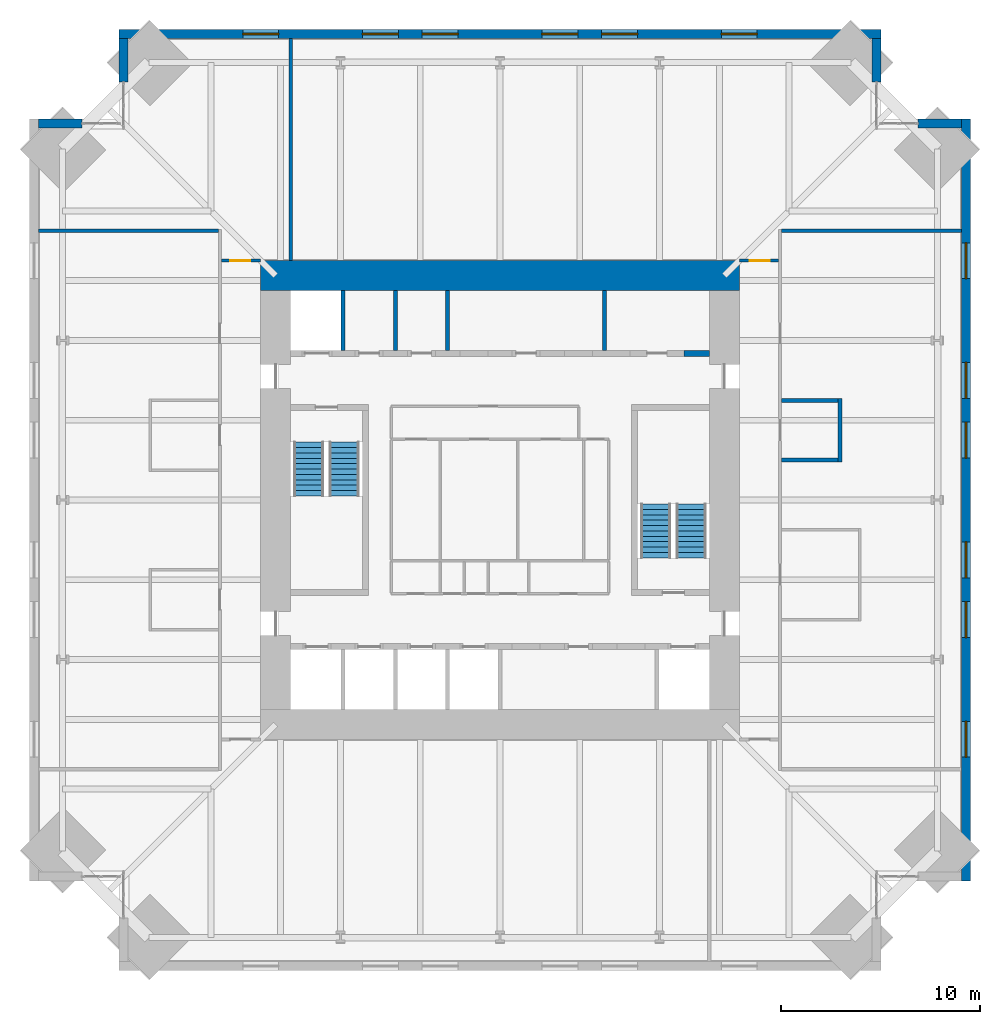
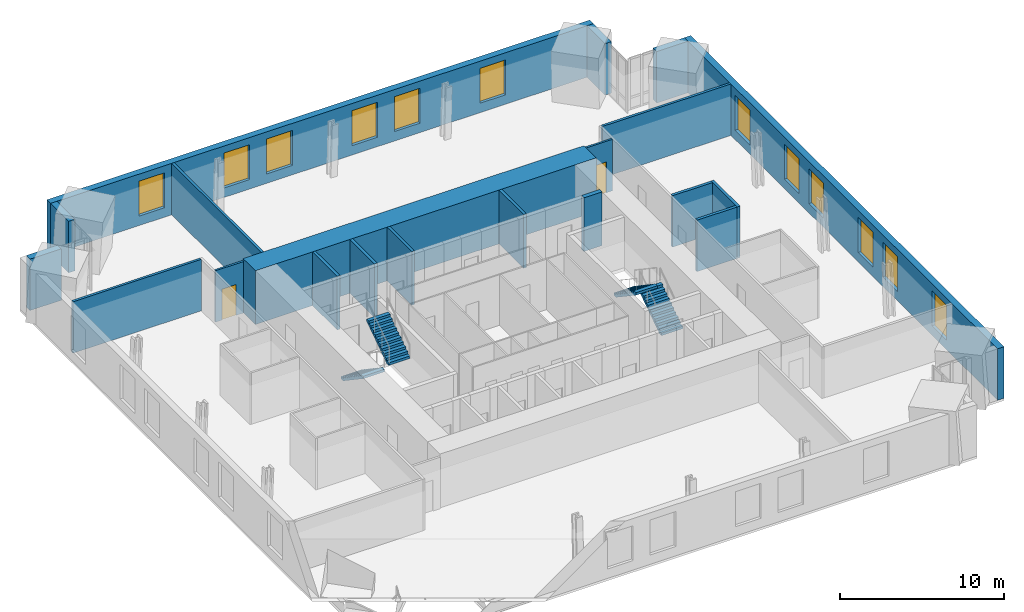
# One storey, part 13 of 14: 20 walls, 12 windows, 4 stair flights, 2 doors, 14 openings, 2 elements without a shape of their own.
"""IFC4 building model written with IfcOpenShell, lengths in metres."""

from ifc_helpers import new_model, si_unit, direction, frame, frame_2d, origin, place, context, subcontext, project, spatial, polyline, rectangle, outline, extrude, material, layer, layer_set, type_object, element, fill, aggregate, save


model = new_model("IFC4")

# Units and contexts
model_context = context("Model", 3, precision=1e-05, world=origin(), true_north=direction((0.0, 1.0)))
body_context = subcontext(model_context, "Body", "Model", "MODEL_VIEW")
ifc_project = project(units=[si_unit("LENGTHUNIT", "METRE"), si_unit("AREAUNIT", "SQUARE_METRE"), si_unit("VOLUMEUNIT", "CUBIC_METRE"), si_unit("PLANEANGLEUNIT", "RADIAN"), si_unit("MASSUNIT", "GRAM", prefix="KILO")], contexts=[model_context])

# Site, building, storey
site_placement = place(None, origin())
site = spatial("IfcSite", under=ifc_project, at=site_placement, CompositionType="ELEMENT")
building_placement = place(site_placement, origin())
building = spatial("IfcBuilding", under=site, at=building_placement, Name="Peilmerk Tower", CompositionType="ELEMENT")
storey_placement = place(building_placement, frame((0.0, 0.0, 221.800048828125)))
storey = spatial("IfcBuildingStorey", under=building, at=storey_placement, Name="L48", CompositionType="ELEMENT", Elevation=221.800048828125)

# Wall, openings, windows
ifc_material_1 = material(Name="Precast concrete C45/55, board-marked finish", Category="concrete")
ifc_layer_1 = layer(ifc_material_1, 0.449951171875)
ifc_layer_set_1 = layer_set([ifc_layer_1], Name="Precast concrete C45/55, board-marked finish")
wall_type_1 = type_object("IfcWallType", Name="EW1 450 precast concrete facade wall, board-marked", PredefinedType="SOLIDWALL", material=ifc_layer_set_1)
wall_1_placement = place(storey_placement, frame((19.10009765625, 23.375, 0.0), z_axis=(0.0, 0.0, 1.0), x_axis=(-1.0, 0.0, 0.0)))
wall_1 = element("IfcWall", 1, at=wall_1_placement, inside=storey, type_object=wall_type_1, Name="Facade wall N L48", PredefinedType="SOLIDWALL", context=body_context, shape_type="SweptSolid", body=[
    extrude(rectangle(XDim=38.2001953125, YDim=0.449951171875, at=frame_2d((19.10009765625, 0.0))), origin(), (0.0, 0.0, 1.0), 3.829833984375),
])
opening_1_placement = place(wall_1_placement, frame((6.199951171875, 0.0, 0.699951171875)))
opening_1 = element("IfcOpeningElement", 2, at=opening_1_placement, cuts=wall_1, Name="Opening W1", PredefinedType="OPENING", context=body_context, shape_type="SweptSolid", body=[
    extrude(rectangle(XDim=1.800048828125, YDim=2.60009765625, at=frame_2d((0.89990234375, 1.300048828125))), frame((0.0, 0.23486328125, 0.0), z_axis=(0.0, -1.0, 0.0), x_axis=(1.0, 0.0, 0.0)), (0.0, 0.0, 1.0), 0.469970703125),
])
opening_2_placement = place(wall_1_placement, frame((12.199951171875, 0.0, 0.699951171875)))
opening_2 = element("IfcOpeningElement", 3, at=opening_2_placement, cuts=wall_1, Name="Opening W1", PredefinedType="OPENING", context=body_context, shape_type="SweptSolid", body=[
    extrude(rectangle(XDim=1.800048828125, YDim=2.60009765625, at=frame_2d((0.89990234375, 1.300048828125))), frame((0.0, 0.23486328125, 0.0), z_axis=(0.0, -1.0, 0.0), x_axis=(1.0, 0.0, 0.0)), (0.0, 0.0, 1.0), 0.469970703125),
])
opening_3_placement = place(wall_1_placement, frame((15.199951171875, 0.0, 0.699951171875)))
opening_3 = element("IfcOpeningElement", 4, at=opening_3_placement, cuts=wall_1, Name="Opening W1", PredefinedType="OPENING", context=body_context, shape_type="SweptSolid", body=[
    extrude(rectangle(XDim=1.800048828125, YDim=2.60009765625, at=frame_2d((0.89990234375, 1.300048828125))), frame((0.0, 0.23486328125, 0.0), z_axis=(0.0, -1.0, 0.0), x_axis=(1.0, 0.0, 0.0)), (0.0, 0.0, 1.0), 0.469970703125),
])
opening_4_placement = place(wall_1_placement, frame((21.199951171875, 0.0, 0.699951171875)))
opening_4 = element("IfcOpeningElement", 5, at=opening_4_placement, cuts=wall_1, Name="Opening W1", PredefinedType="OPENING", context=body_context, shape_type="SweptSolid", body=[
    extrude(rectangle(XDim=1.800048828125, YDim=2.60009765625, at=frame_2d((0.89990234375, 1.300048828125))), frame((0.0, 0.23486328125, 0.0), z_axis=(0.0, -1.0, 0.0), x_axis=(1.0, 0.0, 0.0)), (0.0, 0.0, 1.0), 0.469970703125),
])
opening_5_placement = place(wall_1_placement, frame((24.199951171875, 0.0, 0.699951171875)))
opening_5 = element("IfcOpeningElement", 6, at=opening_5_placement, cuts=wall_1, Name="Opening W1", PredefinedType="OPENING", context=body_context, shape_type="SweptSolid", body=[
    extrude(rectangle(XDim=1.800048828125, YDim=2.60009765625, at=frame_2d((0.89990234375, 1.300048828125))), frame((0.0, 0.23486328125, 0.0), z_axis=(0.0, -1.0, 0.0), x_axis=(1.0, 0.0, 0.0)), (0.0, 0.0, 1.0), 0.469970703125),
])
opening_6_placement = place(wall_1_placement, frame((30.199951171875, 0.0, 0.699951171875)))
opening_6 = element("IfcOpeningElement", 7, at=opening_6_placement, cuts=wall_1, Name="Opening W1", PredefinedType="OPENING", context=body_context, shape_type="SweptSolid", body=[
    extrude(rectangle(XDim=1.800048828125, YDim=2.60009765625, at=frame_2d((0.89990234375, 1.300048828125))), frame((0.0, 0.23486328125, 0.0), z_axis=(0.0, -1.0, 0.0), x_axis=(1.0, 0.0, 0.0)), (0.0, 0.0, 1.0), 0.469970703125),
])
ifc_material_2 = material(Name="Aluminium frame, clear double glazing", Category="aluminium")
window_type = type_object("IfcWindowType", Name="W1 1800x2600 office window", PartitioningType="SINGLE_PANEL", PredefinedType="WINDOW", material=ifc_material_2)
window_1_placement = place(opening_1_placement, origin())
window_1 = element("IfcWindow", 8, at=window_1_placement, inside=storey, type_object=window_type, Name="Window W1 L48", OverallHeight=2.60009765625, OverallWidth=1.800048828125, PartitioningType="SINGLE_PANEL", PredefinedType="WINDOW", context=body_context, shape_type="SweptSolid", body=[
    extrude(rectangle(XDim=1.800048828125, YDim=2.60009765625, at=frame_2d((0.89990234375, 1.300048828125))), frame((0.0, 0.030029296875, 0.0), z_axis=(0.0, -1.0, 0.0), x_axis=(1.0, 0.0, 0.0)), (0.0, 0.0, 1.0), 0.06005859375),
])
fill(opening_1, window_1)
window_2_placement = place(opening_2_placement, origin())
window_2 = element("IfcWindow", 9, at=window_2_placement, inside=storey, type_object=window_type, Name="Window W1 L48", OverallHeight=2.60009765625, OverallWidth=1.800048828125, PartitioningType="SINGLE_PANEL", PredefinedType="WINDOW", context=body_context, shape_type="SweptSolid", body=[
    extrude(rectangle(XDim=1.800048828125, YDim=2.60009765625, at=frame_2d((0.89990234375, 1.300048828125))), frame((0.0, 0.030029296875, 0.0), z_axis=(0.0, -1.0, 0.0), x_axis=(1.0, 0.0, 0.0)), (0.0, 0.0, 1.0), 0.06005859375),
])
fill(opening_2, window_2)
window_3_placement = place(opening_3_placement, origin())
window_3 = element("IfcWindow", 10, at=window_3_placement, inside=storey, type_object=window_type, Name="Window W1 L48", OverallHeight=2.60009765625, OverallWidth=1.800048828125, PartitioningType="SINGLE_PANEL", PredefinedType="WINDOW", context=body_context, shape_type="SweptSolid", body=[
    extrude(rectangle(XDim=1.800048828125, YDim=2.60009765625, at=frame_2d((0.89990234375, 1.300048828125))), frame((0.0, 0.030029296875, 0.0), z_axis=(0.0, -1.0, 0.0), x_axis=(1.0, 0.0, 0.0)), (0.0, 0.0, 1.0), 0.06005859375),
])
fill(opening_3, window_3)
window_4_placement = place(opening_4_placement, origin())
window_4 = element("IfcWindow", 11, at=window_4_placement, inside=storey, type_object=window_type, Name="Window W1 L48", OverallHeight=2.60009765625, OverallWidth=1.800048828125, PartitioningType="SINGLE_PANEL", PredefinedType="WINDOW", context=body_context, shape_type="SweptSolid", body=[
    extrude(rectangle(XDim=1.800048828125, YDim=2.60009765625, at=frame_2d((0.89990234375, 1.300048828125))), frame((0.0, 0.030029296875, 0.0), z_axis=(0.0, -1.0, 0.0), x_axis=(1.0, 0.0, 0.0)), (0.0, 0.0, 1.0), 0.06005859375),
])
fill(opening_4, window_4)
window_5_placement = place(opening_5_placement, origin())
window_5 = element("IfcWindow", 12, at=window_5_placement, inside=storey, type_object=window_type, Name="Window W1 L48", OverallHeight=2.60009765625, OverallWidth=1.800048828125, PartitioningType="SINGLE_PANEL", PredefinedType="WINDOW", context=body_context, shape_type="SweptSolid", body=[
    extrude(rectangle(XDim=1.800048828125, YDim=2.60009765625, at=frame_2d((0.89990234375, 1.300048828125))), frame((0.0, 0.030029296875, 0.0), z_axis=(0.0, -1.0, 0.0), x_axis=(1.0, 0.0, 0.0)), (0.0, 0.0, 1.0), 0.06005859375),
])
fill(opening_5, window_5)
window_6_placement = place(opening_6_placement, origin())
window_6 = element("IfcWindow", 13, at=window_6_placement, inside=storey, type_object=window_type, Name="Window W1 L48", OverallHeight=2.60009765625, OverallWidth=1.800048828125, PartitioningType="SINGLE_PANEL", PredefinedType="WINDOW", context=body_context, shape_type="SweptSolid", body=[
    extrude(rectangle(XDim=1.800048828125, YDim=2.60009765625, at=frame_2d((0.89990234375, 1.300048828125))), frame((0.0, 0.030029296875, 0.0), z_axis=(0.0, -1.0, 0.0), x_axis=(1.0, 0.0, 0.0)), (0.0, 0.0, 1.0), 0.06005859375),
])
fill(opening_6, window_6)

wall_2_placement = place(storey_placement, frame((23.375, -19.10009765625, 0.0), z_axis=(0.0, 0.0, 1.0), x_axis=(0.0, 1.0, 0.0)))
wall_2 = element("IfcWall", 14, at=wall_2_placement, inside=storey, type_object=wall_type_1, Name="Facade wall E L48", PredefinedType="SOLIDWALL", context=body_context, shape_type="SweptSolid", body=[
    extrude(rectangle(XDim=38.2001953125, YDim=0.449951171875, at=frame_2d((19.10009765625, 0.0))), origin(), (0.0, 0.0, 1.0), 3.829833984375),
])
opening_7_placement = place(wall_2_placement, frame((6.199951171875, 0.0, 0.699951171875)))
opening_7 = element("IfcOpeningElement", 15, at=opening_7_placement, cuts=wall_2, Name="Opening W1", PredefinedType="OPENING", context=body_context, shape_type="SweptSolid", body=[
    extrude(rectangle(XDim=1.800048828125, YDim=2.60009765625, at=frame_2d((0.89990234375, 1.300048828125))), frame((0.0, 0.23486328125, 0.0), z_axis=(0.0, -1.0, 0.0), x_axis=(1.0, 0.0, 0.0)), (0.0, 0.0, 1.0), 0.469970703125),
])
opening_8_placement = place(wall_2_placement, frame((12.199951171875, 0.0, 0.699951171875)))
opening_8 = element("IfcOpeningElement", 16, at=opening_8_placement, cuts=wall_2, Name="Opening W1", PredefinedType="OPENING", context=body_context, shape_type="SweptSolid", body=[
    extrude(rectangle(XDim=1.800048828125, YDim=2.60009765625, at=frame_2d((0.89990234375, 1.300048828125))), frame((0.0, 0.23486328125, 0.0), z_axis=(0.0, -1.0, 0.0), x_axis=(1.0, 0.0, 0.0)), (0.0, 0.0, 1.0), 0.469970703125),
])
opening_9_placement = place(wall_2_placement, frame((15.199951171875, 0.0, 0.699951171875)))
opening_9 = element("IfcOpeningElement", 17, at=opening_9_placement, cuts=wall_2, Name="Opening W1", PredefinedType="OPENING", context=body_context, shape_type="SweptSolid", body=[
    extrude(rectangle(XDim=1.800048828125, YDim=2.60009765625, at=frame_2d((0.89990234375, 1.300048828125))), frame((0.0, 0.23486328125, 0.0), z_axis=(0.0, -1.0, 0.0), x_axis=(1.0, 0.0, 0.0)), (0.0, 0.0, 1.0), 0.469970703125),
])
opening_10_placement = place(wall_2_placement, frame((21.199951171875, 0.0, 0.699951171875)))
opening_10 = element("IfcOpeningElement", 18, at=opening_10_placement, cuts=wall_2, Name="Opening W1", PredefinedType="OPENING", context=body_context, shape_type="SweptSolid", body=[
    extrude(rectangle(XDim=1.800048828125, YDim=2.60009765625, at=frame_2d((0.89990234375, 1.300048828125))), frame((0.0, 0.23486328125, 0.0), z_axis=(0.0, -1.0, 0.0), x_axis=(1.0, 0.0, 0.0)), (0.0, 0.0, 1.0), 0.469970703125),
])
opening_11_placement = place(wall_2_placement, frame((24.199951171875, 0.0, 0.699951171875)))
opening_11 = element("IfcOpeningElement", 19, at=opening_11_placement, cuts=wall_2, Name="Opening W1", PredefinedType="OPENING", context=body_context, shape_type="SweptSolid", body=[
    extrude(rectangle(XDim=1.800048828125, YDim=2.60009765625, at=frame_2d((0.89990234375, 1.300048828125))), frame((0.0, 0.23486328125, 0.0), z_axis=(0.0, -1.0, 0.0), x_axis=(1.0, 0.0, 0.0)), (0.0, 0.0, 1.0), 0.469970703125),
])
opening_12_placement = place(wall_2_placement, frame((30.199951171875, 0.0, 0.699951171875)))
opening_12 = element("IfcOpeningElement", 20, at=opening_12_placement, cuts=wall_2, Name="Opening W1", PredefinedType="OPENING", context=body_context, shape_type="SweptSolid", body=[
    extrude(rectangle(XDim=1.800048828125, YDim=2.60009765625, at=frame_2d((0.89990234375, 1.300048828125))), frame((0.0, 0.23486328125, 0.0), z_axis=(0.0, -1.0, 0.0), x_axis=(1.0, 0.0, 0.0)), (0.0, 0.0, 1.0), 0.469970703125),
])
window_7_placement = place(opening_7_placement, origin())
window_7 = element("IfcWindow", 21, at=window_7_placement, inside=storey, type_object=window_type, Name="Window W1 L48", OverallHeight=2.60009765625, OverallWidth=1.800048828125, PartitioningType="SINGLE_PANEL", PredefinedType="WINDOW", context=body_context, shape_type="SweptSolid", body=[
    extrude(rectangle(XDim=1.800048828125, YDim=2.60009765625, at=frame_2d((0.89990234375, 1.300048828125))), frame((0.0, 0.030029296875, 0.0), z_axis=(0.0, -1.0, 0.0), x_axis=(1.0, 0.0, 0.0)), (0.0, 0.0, 1.0), 0.06005859375),
])
fill(opening_7, window_7)
window_8_placement = place(opening_8_placement, origin())
window_8 = element("IfcWindow", 22, at=window_8_placement, inside=storey, type_object=window_type, Name="Window W1 L48", OverallHeight=2.60009765625, OverallWidth=1.800048828125, PartitioningType="SINGLE_PANEL", PredefinedType="WINDOW", context=body_context, shape_type="SweptSolid", body=[
    extrude(rectangle(XDim=1.800048828125, YDim=2.60009765625, at=frame_2d((0.89990234375, 1.300048828125))), frame((0.0, 0.030029296875, 0.0), z_axis=(0.0, -1.0, 0.0), x_axis=(1.0, 0.0, 0.0)), (0.0, 0.0, 1.0), 0.06005859375),
])
fill(opening_8, window_8)
window_9_placement = place(opening_9_placement, origin())
window_9 = element("IfcWindow", 23, at=window_9_placement, inside=storey, type_object=window_type, Name="Window W1 L48", OverallHeight=2.60009765625, OverallWidth=1.800048828125, PartitioningType="SINGLE_PANEL", PredefinedType="WINDOW", context=body_context, shape_type="SweptSolid", body=[
    extrude(rectangle(XDim=1.800048828125, YDim=2.60009765625, at=frame_2d((0.89990234375, 1.300048828125))), frame((0.0, 0.030029296875, 0.0), z_axis=(0.0, -1.0, 0.0), x_axis=(1.0, 0.0, 0.0)), (0.0, 0.0, 1.0), 0.06005859375),
])
fill(opening_9, window_9)
window_10_placement = place(opening_10_placement, origin())
window_10 = element("IfcWindow", 24, at=window_10_placement, inside=storey, type_object=window_type, Name="Window W1 L48", OverallHeight=2.60009765625, OverallWidth=1.800048828125, PartitioningType="SINGLE_PANEL", PredefinedType="WINDOW", context=body_context, shape_type="SweptSolid", body=[
    extrude(rectangle(XDim=1.800048828125, YDim=2.60009765625, at=frame_2d((0.89990234375, 1.300048828125))), frame((0.0, 0.030029296875, 0.0), z_axis=(0.0, -1.0, 0.0), x_axis=(1.0, 0.0, 0.0)), (0.0, 0.0, 1.0), 0.06005859375),
])
fill(opening_10, window_10)
window_11_placement = place(opening_11_placement, origin())
window_11 = element("IfcWindow", 25, at=window_11_placement, inside=storey, type_object=window_type, Name="Window W1 L48", OverallHeight=2.60009765625, OverallWidth=1.800048828125, PartitioningType="SINGLE_PANEL", PredefinedType="WINDOW", context=body_context, shape_type="SweptSolid", body=[
    extrude(rectangle(XDim=1.800048828125, YDim=2.60009765625, at=frame_2d((0.89990234375, 1.300048828125))), frame((0.0, 0.030029296875, 0.0), z_axis=(0.0, -1.0, 0.0), x_axis=(1.0, 0.0, 0.0)), (0.0, 0.0, 1.0), 0.06005859375),
])
fill(opening_11, window_11)
window_12_placement = place(opening_12_placement, origin())
window_12 = element("IfcWindow", 26, at=window_12_placement, inside=storey, type_object=window_type, Name="Window W1 L48", OverallHeight=2.60009765625, OverallWidth=1.800048828125, PartitioningType="SINGLE_PANEL", PredefinedType="WINDOW", context=body_context, shape_type="SweptSolid", body=[
    extrude(rectangle(XDim=1.800048828125, YDim=2.60009765625, at=frame_2d((0.89990234375, 1.300048828125))), frame((0.0, 0.030029296875, 0.0), z_axis=(0.0, -1.0, 0.0), x_axis=(1.0, 0.0, 0.0)), (0.0, 0.0, 1.0), 0.06005859375),
])
fill(opening_12, window_12)

# Walls
for number, where, z_axis, x_axis, name in (
    (27, (18.875, 20.95361328125, 0.0), (0.0, 0.0, 1.0), (0.0, 1.0, 0.0), "Facade wall NEA L48"),
    (28, (20.95361328125, 18.875, 0.0), (0.0, 0.0, 1.0), (1.0, 0.0, 0.0), "Facade wall NEB L48"),
    (29, (-18.875, 20.95361328125, 0.0), (0.0, 0.0, 1.0), (0.0, 1.0, 0.0), "Facade wall NWA L48"),
    (30, (-20.95361328125, 18.875, 0.0), (0.0, 0.0, 1.0), (-1.0, 0.0, 0.0), "Facade wall NWB L48"),
):
    element("IfcWall", number, at=place(storey_placement, frame(where, z_axis=z_axis, x_axis=x_axis)), inside=storey, type_object=wall_type_1, Name=name, PredefinedType="SOLIDWALL", context=body_context, shape_type="SweptSolid", body=[
        extrude(rectangle(XDim=2.1962890625, YDim=0.449951171875, at=frame_2d((1.09814453125, 0.0))), origin(), (0.0, 0.0, 1.0), 3.829833984375),
    ])

# Wall, opening, door
ifc_material_3 = material(Name="Calcium silicate block", Category="masonry")
ifc_layer_2 = layer(ifc_material_3, 0.14990234375)
ifc_layer_set_2 = layer_set([ifc_layer_2], Name="Calcium silicate block")
wall_type_2 = type_object("IfcWallType", Name="IW1 150 corridor partition, EI 60", PredefinedType="PARTITIONING", material=ifc_layer_set_2)
wall_3_placement = place(storey_placement, frame((12.0, 12.0, 0.0), z_axis=(0.0, 0.0, 1.0), x_axis=(1.0, 0.0, 0.0)))
wall_3 = element("IfcWall", 31, at=wall_3_placement, inside=storey, type_object=wall_type_2, Name="Corridor wall NE L48", PredefinedType="PARTITIONING", context=body_context, shape_type="SweptSolid", body=[
    extrude(rectangle(XDim=1.97509765625, YDim=0.14990234375, at=frame_2d((0.987548828125, 0.0))), origin(), (0.0, 0.0, 1.0), 3.829833984375),
])
opening_13_placement = place(wall_3_placement, frame((0.52490234375, 0.0, 0.0)))
opening_13 = element("IfcOpeningElement", 32, at=opening_13_placement, cuts=wall_3, Name="Opening D1", PredefinedType="OPENING", context=body_context, shape_type="SweptSolid", body=[
    extrude(rectangle(XDim=1.0, YDim=2.300048828125, at=frame_2d((0.5, 1.14990234375))), frame((0.0, 0.0849609375, 0.0), z_axis=(0.0, -1.0, 0.0), x_axis=(1.0, 0.0, 0.0)), (0.0, 0.0, 1.0), 0.169921875),
])
ifc_material_4 = material(Name="Timber door in steel frame", Category="steel")
door_type = type_object("IfcDoorType", Name="D1 1000x2300 room door, EI2 30", OperationType="SINGLE_SWING_LEFT", PredefinedType="DOOR", material=ifc_material_4)
door_1_placement = place(opening_13_placement, origin())
door_1 = element("IfcDoor", 33, at=door_1_placement, inside=storey, type_object=door_type, Name="Door Tenant suite L48", OperationType="SINGLE_SWING_LEFT", OverallHeight=2.300048828125, OverallWidth=1.0, PredefinedType="DOOR", context=body_context, shape_type="SweptSolid", body=[
    extrude(rectangle(XDim=1.0, YDim=2.300048828125, at=frame_2d((0.5, 1.14990234375))), frame((0.0, 0.02490234375, 0.0), z_axis=(0.0, -1.0, 0.0), x_axis=(1.0, 0.0, 0.0)), (0.0, 0.0, 1.0), 0.050048828125),
])
fill(opening_13, door_1)

wall_4_placement = place(storey_placement, frame((-13.97509765625, 12.0, 0.0), z_axis=(0.0, 0.0, 1.0), x_axis=(1.0, 0.0, 0.0)))
wall_4 = element("IfcWall", 34, at=wall_4_placement, inside=storey, type_object=wall_type_2, Name="Corridor wall NW L48", PredefinedType="PARTITIONING", context=body_context, shape_type="SweptSolid", body=[
    extrude(rectangle(XDim=1.97509765625, YDim=0.14990234375, at=frame_2d((0.987548828125, 0.0))), origin(), (0.0, 0.0, 1.0), 3.829833984375),
])
opening_14_placement = place(wall_4_placement, frame((0.449951171875, 0.0, 0.0)))
opening_14 = element("IfcOpeningElement", 35, at=opening_14_placement, cuts=wall_4, Name="Opening D1", PredefinedType="OPENING", context=body_context, shape_type="SweptSolid", body=[
    extrude(rectangle(XDim=1.0, YDim=2.300048828125, at=frame_2d((0.5, 1.14990234375))), frame((0.0, 0.0849609375, 0.0), z_axis=(0.0, -1.0, 0.0), x_axis=(1.0, 0.0, 0.0)), (0.0, 0.0, 1.0), 0.169921875),
])
door_2_placement = place(opening_14_placement, origin())
door_2 = element("IfcDoor", 36, at=door_2_placement, inside=storey, type_object=door_type, Name="Door Tenant suite L48", OperationType="SINGLE_SWING_LEFT", OverallHeight=2.300048828125, OverallWidth=1.0, PredefinedType="DOOR", context=body_context, shape_type="SweptSolid", body=[
    extrude(rectangle(XDim=1.0, YDim=2.300048828125, at=frame_2d((0.5, 1.14990234375))), frame((0.0, 0.02490234375, 0.0), z_axis=(0.0, -1.0, 0.0), x_axis=(1.0, 0.0, 0.0)), (0.0, 0.0, 1.0), 0.050048828125),
])
fill(opening_14, door_2)

# Walls
ifc_layer_3 = layer(ifc_material_3, 0.199951171875)
ifc_layer_set_3 = layer_set([ifc_layer_3], Name="Calcium silicate block")
wall_type_3 = type_object("IfcWallType", Name="IW2 200 room separating wall, EI 120", PredefinedType="PARTITIONING", material=ifc_layer_set_3)
wall_5_placement = place(storey_placement, frame((17.050048828125, 1.89990234375, 0.0), z_axis=(0.0, 0.0, 1.0), x_axis=(0.0, 1.0, 0.0)))
element("IfcWall", 37, at=wall_5_placement, inside=storey, type_object=wall_type_3, Name="Room separating wall Print room L48", PredefinedType="PARTITIONING", context=body_context, shape_type="SweptSolid", body=[
    extrude(rectangle(XDim=3.2001953125, YDim=0.199951171875, at=frame_2d((1.60009765625, 0.0))), origin(), (0.0, 0.0, 1.0), 3.829833984375),
])
for number, where, z_axis, x_axis, name in (
    (38, (14.125, 2.0, 0.0), (0.0, 0.0, 1.0), (1.0, 0.0, 0.0), "Room separating wall Print room L48"),
    (39, (14.125, 5.0, 0.0), (0.0, 0.0, 1.0), (1.0, 0.0, 0.0), "Room separating wall Print room L48"),
):
    element("IfcWall", number, at=place(storey_placement, frame(where, z_axis=z_axis, x_axis=x_axis)), inside=storey, type_object=wall_type_3, Name=name, PredefinedType="PARTITIONING", context=body_context, shape_type="SweptSolid", body=[
        extrude(rectangle(XDim=2.824951171875, YDim=0.199951171875, at=frame_2d((1.41259765625, 0.0))), origin(), (0.0, 0.0, 1.0), 3.829833984375),
    ])
ifc_layer_4 = layer(ifc_material_3, 0.175048828125)
ifc_layer_set_4 = layer_set([ifc_layer_4], Name="Calcium silicate block")
wall_type_4 = type_object("IfcWallType", Name="IW8 175 tenant separating wall, EI 60", PredefinedType="PARTITIONING", material=ifc_layer_set_4)
for number, where, z_axis, x_axis, name in (
    (40, (14.125, 13.5, 0.0), (0.0, 0.0, 1.0), (1.0, 0.0, 0.0), "Tenant separating wall NE L48"),
    (41, (-23.14990234375, 13.5, 0.0), (0.0, 0.0, 1.0), (1.0, 0.0, 0.0), "Tenant separating wall NW L48"),
):
    element("IfcWall", number, at=place(storey_placement, frame(where, z_axis=z_axis, x_axis=x_axis)), inside=storey, type_object=wall_type_4, Name=name, PredefinedType="PARTITIONING", context=body_context, shape_type="SweptSolid", body=[
        extrude(rectangle(XDim=9.02490234375, YDim=0.175048828125, at=frame_2d((4.512451171875, 0.0))), origin(), (0.0, 0.0, 1.0), 3.829833984375),
    ])
wall_6_placement = place(storey_placement, frame((-10.5, 12.0, 0.0), z_axis=(0.0, 0.0, 1.0), x_axis=(0.0, 1.0, 0.0)))
element("IfcWall", 42, at=wall_6_placement, inside=storey, type_object=wall_type_4, Name="Tenant separating wall N1 L48", PredefinedType="PARTITIONING", context=body_context, shape_type="SweptSolid", body=[
    extrude(rectangle(XDim=11.14990234375, YDim=0.175048828125, at=frame_2d((5.574951171875, 0.0))), origin(), (0.0, 0.0, 1.0), 3.829833984375),
])
ifc_layer_5 = layer(ifc_material_3, 0.199951171875)
ifc_layer_set_5 = layer_set([ifc_layer_5], Name="Calcium silicate block")
wall_type_5 = type_object("IfcWallType", Name="SH1 200 shaft dividing wall, EI 120", PredefinedType="PARTITIONING", material=ifc_layer_set_5)
for number, where, z_axis, x_axis, name in (
    (43, (-7.875, 7.5, 0.0), (0.0, 0.0, 1.0), (0.0, 1.0, 0.0), "Shaft wall N FL1 L48"),
    (44, (-5.25, 7.5, 0.0), (0.0, 0.0, 1.0), (0.0, 1.0, 0.0), "Shaft wall N A1 L48"),
    (45, (-2.625, 7.5, 0.0), (0.0, 0.0, 1.0), (0.0, 1.0, 0.0), "Shaft wall N A2 L48"),
    (46, (5.25, 7.5, 0.0), (0.0, 0.0, 1.0), (0.0, 1.0, 0.0), "Shaft wall N S2 L48"),
):
    element("IfcWall", number, at=place(storey_placement, frame(where, z_axis=z_axis, x_axis=x_axis)), inside=storey, type_object=wall_type_5, Name=name, PredefinedType="PARTITIONING", context=body_context, shape_type="SweptSolid", body=[
        extrude(rectangle(XDim=3.0, YDim=0.199951171875, at=frame_2d((1.5, 0.0))), origin(), (0.0, 0.0, 1.0), 4.0),
    ])
ifc_material_5 = material(Name="Concrete C55/67", Category="concrete")
ifc_layer_6 = layer(ifc_material_5, 1.5)
ifc_layer_set_6 = layer_set([ifc_layer_6], Name="Concrete C55/67")
wall_type_6 = type_object("IfcWallType", Name="SW1 1500 core wall", PredefinedType="SHEAR", material=ifc_layer_set_6)
wall_7_placement = place(storey_placement, frame((-12.0, 11.25, 0.0), z_axis=(0.0, 0.0, 1.0), x_axis=(1.0, 0.0, 0.0)))
element("IfcWall", 47, at=wall_7_placement, inside=storey, type_object=wall_type_6, Name="Core wall N L48", PredefinedType="SHEAR", context=body_context, shape_type="SweptSolid", body=[
    extrude(rectangle(XDim=24.0, YDim=1.5, at=frame_2d((12.0, 0.0))), origin(), (0.0, 0.0, 1.0), 4.0),
])
ifc_layer_7 = layer(ifc_material_5, 0.300048828125)
ifc_layer_set_7 = layer_set([ifc_layer_7], Name="Concrete C55/67")
wall_type_7 = type_object("IfcWallType", Name="SW2 300 lift bank pier", PredefinedType="SHEAR", material=ifc_layer_set_7)
wall_8_placement = place(storey_placement, frame((9.22509765625, 7.35009765625, 0.0), z_axis=(0.0, 0.0, 1.0), x_axis=(1.0, 0.0, 0.0)))
element("IfcWall", 48, at=wall_8_placement, inside=storey, type_object=wall_type_7, Name="Lift bank pier N L48", PredefinedType="SHEAR", context=body_context, shape_type="SweptSolid", body=[
    extrude(rectangle(XDim=1.27490234375, YDim=0.300048828125, at=frame_2d((0.637451171875, 0.0))), origin(), (0.0, 0.0, 1.0), 4.0),
])

# Stair, stair flights
ifc_material_6 = material(Name="Precast concrete C45/55", Category="concrete")
stair_type_1 = type_object("IfcStairType", Name="ST1 22 risers of 181.8", PredefinedType="HALF_TURN_STAIR", material=ifc_material_6)
stair_1_placement = place(storey_placement, origin())
stair_1 = element("IfcStair", 49, at=stair_1_placement, inside=storey, type_object=stair_type_1, Name="Stair 1 L48 to L49", PredefinedType="HALF_TURN_STAIR")
stair_flight_type = type_object("IfcStairFlightType", Name="SF11 flight, 11 risers of 181.8", PredefinedType="STRAIGHT", material=ifc_material_6)
stair_flight_1_placement = place(storey_placement, frame((-9.60009765625, 2.89990234375, 0.0), z_axis=(0.0, 0.0, 1.0), x_axis=(0.0, -1.0, 0.0)))
stair_flight_1 = element("IfcStairFlight", 50, at=stair_flight_1_placement, type_object=stair_flight_type, Name="ST1 flight 1", NumberOfRisers=11, NumberOfTreads=10, PredefinedType="STRAIGHT", RiserHeight=0.181818182, TreadLength=0.27, context=body_context, shape_type="SweptSolid", body=[
    extrude(outline(polyline([(0.0, 0.0), (0.0, 0.181884765625), (0.27001953125, 0.181884765625), (0.27001953125, 0.363525390625), (0.5400390625, 0.363525390625), (0.5400390625, 0.54541015625), (0.81005859375, 0.54541015625), (0.81005859375, 0.727294921875), (1.080078125, 0.727294921875), (1.080078125, 0.9091796875), (1.35009765625, 0.9091796875), (1.35009765625, 1.0908203125), (1.6201171875, 1.0908203125), (1.6201171875, 1.272705078125), (1.889892578125, 1.272705078125), (1.889892578125, 1.45458984375), (2.159912109375, 1.45458984375), (2.159912109375, 1.636474609375), (2.429931640625, 1.636474609375), (2.429931640625, 1.818115234375), (2.699951171875, 1.818115234375), (2.699951171875, 2.0), (2.699951171875, 1.637451171875), (0.268310546875, 0.0), (0.0, 0.0)])), frame((0.0, 0.75, 0.0), z_axis=(0.0, -1.0, 0.0), x_axis=(1.0, 0.0, 0.0)), (0.0, 0.0, 1.0), 1.5),
])
stair_flight_2_placement = place(storey_placement, frame((-7.800048828125, 0.199951171875, 2.0), z_axis=(0.0, 0.0, 1.0), x_axis=(0.0, 1.0, 0.0)))
stair_flight_2 = element("IfcStairFlight", 51, at=stair_flight_2_placement, type_object=stair_flight_type, Name="ST1 flight 2", NumberOfRisers=11, NumberOfTreads=10, PredefinedType="STRAIGHT", RiserHeight=0.181818182, TreadLength=0.27, context=body_context, shape_type="SweptSolid", body=[
    extrude(outline(polyline([(0.0, 0.0), (0.0, 0.181884765625), (0.27001953125, 0.181884765625), (0.27001953125, 0.363525390625), (0.5400390625, 0.363525390625), (0.5400390625, 0.54541015625), (0.81005859375, 0.54541015625), (0.81005859375, 0.727294921875), (1.080078125, 0.727294921875), (1.080078125, 0.9091796875), (1.35009765625, 0.9091796875), (1.35009765625, 1.0908203125), (1.6201171875, 1.0908203125), (1.6201171875, 1.272705078125), (1.889892578125, 1.272705078125), (1.889892578125, 1.45458984375), (2.159912109375, 1.45458984375), (2.159912109375, 1.636474609375), (2.429931640625, 1.636474609375), (2.429931640625, 1.818115234375), (2.699951171875, 1.818115234375), (2.699951171875, 2.0), (2.699951171875, 1.637451171875), (0.268310546875, 0.0), (0.0, 0.0)])), frame((0.0, 0.75, 0.0), z_axis=(0.0, -1.0, 0.0), x_axis=(1.0, 0.0, 0.0)), (0.0, 0.0, 1.0), 1.5),
])
aggregate(stair_1, [stair_flight_1, stair_flight_2])

stair_type_2 = type_object("IfcStairType", Name="ST2 22 risers of 181.8", PredefinedType="HALF_TURN_STAIR", material=ifc_material_6)
stair_2_placement = place(storey_placement, origin())
stair_2 = element("IfcStair", 52, at=stair_2_placement, inside=storey, type_object=stair_type_2, Name="Stair 2 L48 to L49", PredefinedType="HALF_TURN_STAIR")
stair_flight_3_placement = place(storey_placement, frame((9.60009765625, -2.89990234375, 0.0), z_axis=(0.0, 0.0, 1.0), x_axis=(0.0, 1.0, 0.0)))
stair_flight_3 = element("IfcStairFlight", 53, at=stair_flight_3_placement, type_object=stair_flight_type, Name="ST2 flight 1", NumberOfRisers=11, NumberOfTreads=10, PredefinedType="STRAIGHT", RiserHeight=0.181818182, TreadLength=0.27, context=body_context, shape_type="SweptSolid", body=[
    extrude(outline(polyline([(0.0, 0.0), (0.0, 0.181884765625), (0.27001953125, 0.181884765625), (0.27001953125, 0.363525390625), (0.5400390625, 0.363525390625), (0.5400390625, 0.54541015625), (0.81005859375, 0.54541015625), (0.81005859375, 0.727294921875), (1.080078125, 0.727294921875), (1.080078125, 0.9091796875), (1.35009765625, 0.9091796875), (1.35009765625, 1.0908203125), (1.6201171875, 1.0908203125), (1.6201171875, 1.272705078125), (1.889892578125, 1.272705078125), (1.889892578125, 1.45458984375), (2.159912109375, 1.45458984375), (2.159912109375, 1.636474609375), (2.429931640625, 1.636474609375), (2.429931640625, 1.818115234375), (2.699951171875, 1.818115234375), (2.699951171875, 2.0), (2.699951171875, 1.637451171875), (0.268310546875, 0.0), (0.0, 0.0)])), frame((0.0, 0.75, 0.0), z_axis=(0.0, -1.0, 0.0), x_axis=(1.0, 0.0, 0.0)), (0.0, 0.0, 1.0), 1.5),
])
stair_flight_4_placement = place(storey_placement, frame((7.800048828125, -0.199951171875, 2.0), z_axis=(0.0, 0.0, 1.0), x_axis=(0.0, -1.0, 0.0)))
stair_flight_4 = element("IfcStairFlight", 54, at=stair_flight_4_placement, type_object=stair_flight_type, Name="ST2 flight 2", NumberOfRisers=11, NumberOfTreads=10, PredefinedType="STRAIGHT", RiserHeight=0.181818182, TreadLength=0.27, context=body_context, shape_type="SweptSolid", body=[
    extrude(outline(polyline([(0.0, 0.0), (0.0, 0.181884765625), (0.27001953125, 0.181884765625), (0.27001953125, 0.363525390625), (0.5400390625, 0.363525390625), (0.5400390625, 0.54541015625), (0.81005859375, 0.54541015625), (0.81005859375, 0.727294921875), (1.080078125, 0.727294921875), (1.080078125, 0.9091796875), (1.35009765625, 0.9091796875), (1.35009765625, 1.0908203125), (1.6201171875, 1.0908203125), (1.6201171875, 1.272705078125), (1.889892578125, 1.272705078125), (1.889892578125, 1.45458984375), (2.159912109375, 1.45458984375), (2.159912109375, 1.636474609375), (2.429931640625, 1.636474609375), (2.429931640625, 1.818115234375), (2.699951171875, 1.818115234375), (2.699951171875, 2.0), (2.699951171875, 1.637451171875), (0.268310546875, 0.0), (0.0, 0.0)])), frame((0.0, 0.75, 0.0), z_axis=(0.0, -1.0, 0.0), x_axis=(1.0, 0.0, 0.0)), (0.0, 0.0, 1.0), 1.5),
])
aggregate(stair_2, [stair_flight_3, stair_flight_4])

save(model, "model.ifc")
